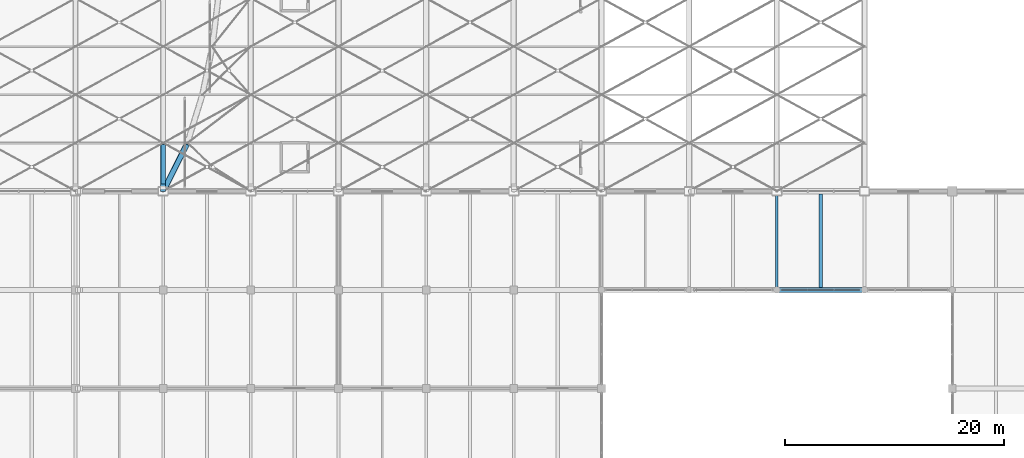
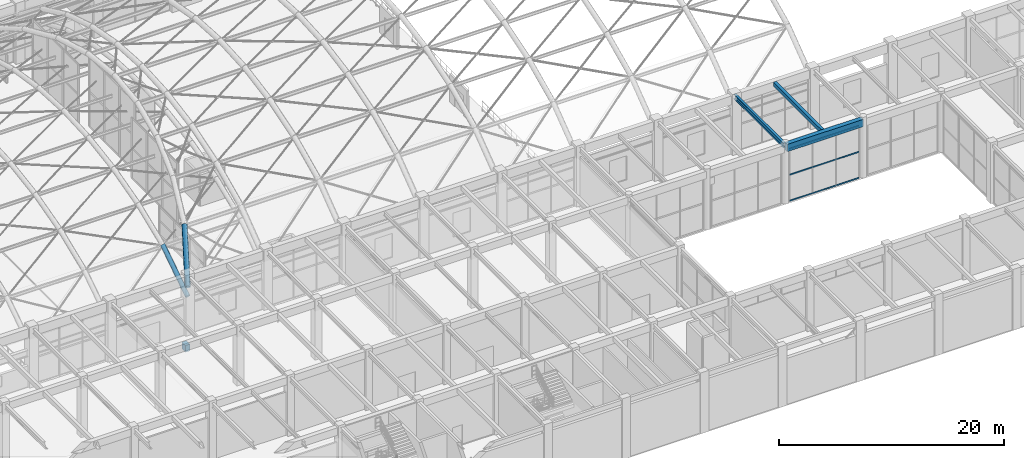
# One storey, part 38 of 163: 6 beams, 3 members, 1 element without a shape of its own.
"""IFC4 building model written with IfcOpenShell, lengths in metres."""

from ifc_helpers import new_model, si_unit, direction, frame, origin, origin_2d, place, context, subcontext, project, spatial, rectangle, hollow_rectangle, hollow_circle, i_section, extrude, material, material_profile, profile_set, type_object, element, aggregate, save


model = new_model("IFC4")

# Units and contexts
model_context = context("Model", 3, precision=1e-05, world=origin(), true_north=direction((0.0, 1.0)))
body_context = subcontext(model_context, "Body", "Model", "MODEL_VIEW")
ifc_project = project(units=[si_unit("LENGTHUNIT", "METRE"), si_unit("AREAUNIT", "SQUARE_METRE"), si_unit("VOLUMEUNIT", "CUBIC_METRE"), si_unit("PLANEANGLEUNIT", "RADIAN"), si_unit("MASSUNIT", "GRAM", prefix="KILO")], contexts=[model_context])

# Site, building, storey
site_placement = place(None, origin())
site = spatial("IfcSite", under=ifc_project, at=site_placement, CompositionType="ELEMENT")
building_placement = place(site_placement, origin())
building = spatial("IfcBuilding", under=site, at=building_placement, Name="Varnabhumi Central Station", CompositionType="ELEMENT")
storey_placement = place(building_placement, frame((0.0, 0.0, 9.60009765625)))
storey = spatial("IfcBuildingStorey", under=building, at=storey_placement, Name="L02", CompositionType="ELEMENT", Elevation=9.60009765625)

# Beams
ifc_material_1 = material(Name="Structural steel E450", Category="steel")
ifc_material_profile_1 = material_profile(ifc_material_1, hollow_circle(Radius=0.228515625, WallThickness=0.01611328125, at=origin_2d()), Name="Structural steel E450", Category="steel")
ifc_profile_set_1 = profile_set([ifc_material_profile_1], Name="Structural steel E450")
beam_type_1 = type_object("IfcBeamType", Name="BM-ARCH-CHS457", PredefinedType="BEAM", material=ifc_profile_set_1)
beam_1_placement = place(storey_placement, frame((72.0, 36.0, 3.949951171875), z_axis=(0.0, 0.835386835677, 0.549662473503), x_axis=(-1.0, 0.0, 0.0)))
element("IfcBeam", 1, at=beam_1_placement, inside=storey, type_object=beam_type_1, Name="Ticket Hall Vault Arch Rib 5 Seg 1", PredefinedType="BEAM", context=body_context, shape_type="SweptSolid", body=[
    extrude(hollow_circle(Radius=0.228515625, WallThickness=0.01611328125, at=origin_2d()), origin(), (0.0, 0.0, 1.0), 5.266845703125),
])
ifc_material_2 = material(Name="Structural steel E350", Category="steel")
ifc_material_profile_2 = material_profile(ifc_material_2, hollow_circle(Radius=0.25390625, WallThickness=0.02001953125, at=origin_2d()), Name="Structural steel E350", Category="steel")
ifc_profile_set_2 = profile_set([ifc_material_profile_2], Name="Structural steel E350")
beam_type_2 = type_object("IfcBeamType", Name="BM-ARCH-CHS508", PredefinedType="BEAM", material=ifc_profile_set_2)
beam_2_placement = place(storey_placement, frame((72.0, 36.0, 4.949951171875), z_axis=(0.372681326467, 0.740677422319, 0.559021989701), x_axis=(-0.893294210393, 0.449472417037, 0.0)))
element("IfcBeam", 2, at=beam_2_placement, inside=storey, type_object=beam_type_2, Name="Departure Concourse Vault Arch Rib 1 Seg 1", PredefinedType="BEAM", context=body_context, shape_type="SweptSolid", body=[
    extrude(hollow_circle(Radius=0.25390625, WallThickness=0.02001953125, at=origin_2d()), origin(), (0.0, 0.0, 1.0), 5.9404296875),
])
ifc_material_3 = material(Name="Concrete M40", Category="concrete")
ifc_material_profile_3 = material_profile(ifc_material_3, rectangle(XDim=0.300048828125, YDim=0.449951171875, at=origin_2d()), Name="Concrete M40", Category="concrete")
ifc_profile_set_3 = profile_set([ifc_material_profile_3], Name="Concrete M40")
beam_type_3 = type_object("IfcBeamType", Name="BM-RC-300x450", PredefinedType="JOIST", material=ifc_profile_set_3)
beam_3_placement = place(storey_placement, frame((132.0, 27.22509765625, 6.125), z_axis=(0.0, 1.0, 0.0), x_axis=(-1.0, 0.0, 0.0)))
element("IfcBeam", 3, at=beam_3_placement, inside=storey, type_object=beam_type_3, Name="Secondary Joist L02-17/18:D-E", PredefinedType="JOIST", context=body_context, shape_type="SweptSolid", body=[
    extrude(rectangle(XDim=0.300048828125, YDim=0.449951171875, at=origin_2d()), origin(), (0.0, 0.0, 1.0), 8.52490234375),
])
ifc_material_profile_4 = material_profile(ifc_material_3, rectangle(XDim=0.449951171875, YDim=0.75, at=origin_2d()), Name="Concrete M40", Category="concrete")
ifc_profile_set_4 = profile_set([ifc_material_profile_4], Name="Concrete M40")
beam_type_4 = type_object("IfcBeamType", Name="BM-RC-450x750", PredefinedType="BEAM", material=ifc_profile_set_4)
beam_4_placement = place(storey_placement, frame((72.0, 36.0, -1.675048828125), z_axis=(0.0, 1.0, 0.0), x_axis=(-1.0, 0.0, 0.0)))
element("IfcBeam", 4, at=beam_4_placement, inside=storey, type_object=beam_type_4, Name="Concourse Bridge 650mm Corbel Seat 72-S", PredefinedType="BEAM", context=body_context, shape_type="SweptSolid", body=[
    extrude(rectangle(XDim=0.449951171875, YDim=0.75, at=origin_2d()), origin(), (0.0, 0.0, 1.0), 0.64990234375),
])
ifc_material_profile_5 = material_profile(ifc_material_3, rectangle(XDim=0.449951171875, YDim=0.800048828125, at=origin_2d()), Name="Concrete M40", Category="concrete")
ifc_profile_set_5 = profile_set([ifc_material_profile_5], Name="Concrete M40")
beam_type_5 = type_object("IfcBeamType", Name="BM-RC-450x800", PredefinedType="BEAM", material=ifc_profile_set_5)
beam_5_placement = place(storey_placement, frame((128.10009765625, 27.0, 5.949951171875), z_axis=(1.0, 0.0, 0.0), x_axis=(0.0, 1.0, 0.0)))
element("IfcBeam", 5, at=beam_5_placement, inside=storey, type_object=beam_type_5, Name="Beam L02-D:17-18", PredefinedType="BEAM", context=body_context, shape_type="SweptSolid", body=[
    extrude(rectangle(XDim=0.449951171875, YDim=0.800048828125, at=origin_2d()), origin(), (0.0, 0.0, 1.0), 7.7998046875),
])
ifc_material_profile_6 = material_profile(ifc_material_2, i_section(OverallWidth=0.25, OverallDepth=0.5, WebThickness=0.010009765625, FlangeThickness=0.0146484375, FilletRadius=0.014892578125, at=origin_2d()), Name="Structural steel E350", Category="steel")
ifc_profile_set_6 = profile_set([ifc_material_profile_6], Name="Structural steel E350")
beam_type_6 = type_object("IfcBeamType", Name="BM-SEC-ISWB500", PredefinedType="BEAM", material=ifc_profile_set_6)
beam_6_placement = place(storey_placement, frame((128.0, 27.10009765625, 6.099853515625), z_axis=(0.0, 1.0, 0.0), x_axis=(-1.0, 0.0, 0.0)))
element("IfcBeam", 6, at=beam_6_placement, inside=storey, type_object=beam_type_6, Name="Beam L02-17:D-E", PredefinedType="BEAM", context=body_context, shape_type="SweptSolid", body=[
    extrude(i_section(OverallWidth=0.25, OverallDepth=0.5, WebThickness=0.010009765625, FlangeThickness=0.0146484375, FilletRadius=0.014892578125, at=origin_2d()), origin(), (0.0, 0.0, 1.0), 8.7998046875),
])

# Curtain wall, members
ifc_material_4 = material(Name="Anodised aluminium 6063-T6", Category="aluminium")
curtain_wall_type = type_object("IfcCurtainWallType", Name="CW-PATIO-LOGGIA-L2", PredefinedType="NOTDEFINED", material=ifc_material_4)
curtain_wall_placement = place(storey_placement, origin())
curtain_wall = element("IfcCurtainWall", 7, at=curtain_wall_placement, inside=storey, type_object=curtain_wall_type, Name="Curtain Wall CW-SP2N3", PredefinedType="NOTDEFINED")
ifc_material_profile_7 = material_profile(ifc_material_4, hollow_rectangle(XDim=0.06005859375, YDim=0.14990234375, WallThickness=0.00390625, InnerFilletRadius=0.001953125, OuterFilletRadius=0.006103515625, at=origin_2d()), Name="Anodised aluminium 6063-T6", Category="aluminium")
ifc_profile_set_7 = profile_set([ifc_material_profile_7], Name="Anodised aluminium 6063-T6")
member_type = type_object("IfcMemberType", Name="CW-TR-150", PredefinedType="USERDEFINED", material=ifc_profile_set_7)
member_1_placement = place(storey_placement, frame((128.419921875, 27.0, 0.0), z_axis=(1.0, 0.0, 0.0), x_axis=(0.0, 1.0, 0.0)))
member_1 = element("IfcMember", 8, at=member_1_placement, type_object=member_type, Name="Curtain Wall Transom CW-SP2N3-T1", ObjectType="TRANSOM", PredefinedType="USERDEFINED", context=body_context, shape_type="SweptSolid", body=[
    extrude(hollow_rectangle(XDim=0.06005859375, YDim=0.14990234375, WallThickness=0.00390625, InnerFilletRadius=0.001953125, OuterFilletRadius=0.006103515625, at=origin_2d()), origin(), (0.0, 0.0, 1.0), 7.16015625),
])
member_2_placement = place(storey_placement, frame((128.419921875, 27.0, 2.81982421875), z_axis=(1.0, 0.0, 0.0), x_axis=(0.0, 1.0, 0.0)))
member_2 = element("IfcMember", 9, at=member_2_placement, type_object=member_type, Name="Curtain Wall Transom CW-SP2N3-T2", ObjectType="TRANSOM", PredefinedType="USERDEFINED", context=body_context, shape_type="SweptSolid", body=[
    extrude(hollow_rectangle(XDim=0.06005859375, YDim=0.14990234375, WallThickness=0.00390625, InnerFilletRadius=0.001953125, OuterFilletRadius=0.006103515625, at=origin_2d()), origin(), (0.0, 0.0, 1.0), 7.16015625),
])
member_3_placement = place(storey_placement, frame((128.419921875, 27.0, 5.639892578125), z_axis=(1.0, 0.0, 0.0), x_axis=(0.0, 1.0, 0.0)))
member_3 = element("IfcMember", 10, at=member_3_placement, type_object=member_type, Name="Curtain Wall Transom CW-SP2N3-T3", ObjectType="TRANSOM", PredefinedType="USERDEFINED", context=body_context, shape_type="SweptSolid", body=[
    extrude(hollow_rectangle(XDim=0.06005859375, YDim=0.14990234375, WallThickness=0.00390625, InnerFilletRadius=0.001953125, OuterFilletRadius=0.006103515625, at=origin_2d()), origin(), (0.0, 0.0, 1.0), 7.16015625),
])
aggregate(curtain_wall, [member_1, member_2, member_3])

save(model, "model.ifc")
